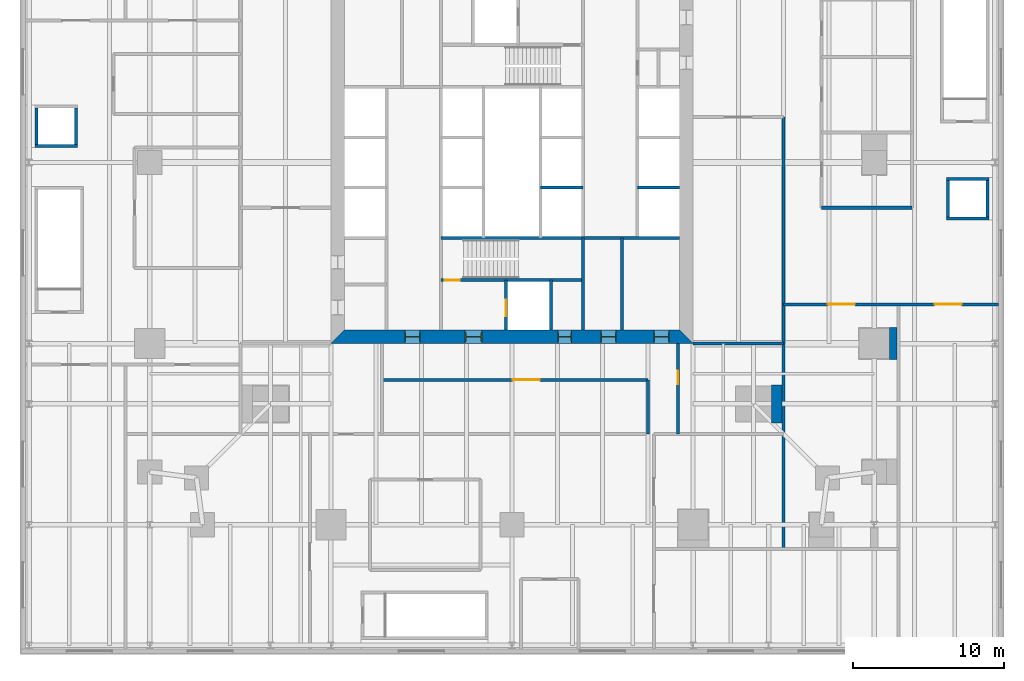
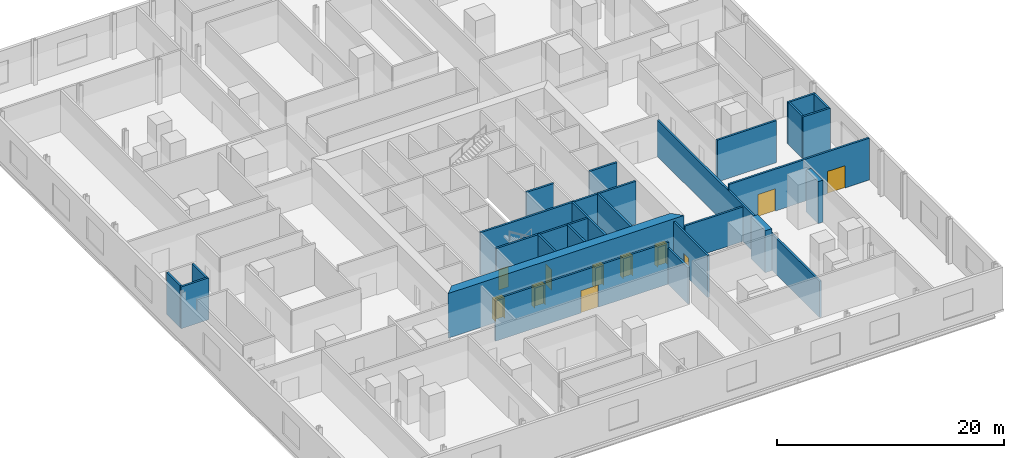
# One storey, part 10 of 15: 25 walls, 11 doors, 11 openings.
"""IFC4 building model written with IfcOpenShell, lengths in metres."""

from ifc_helpers import new_model, si_unit, direction, frame, frame_2d, origin, place, context, subcontext, project, spatial, polyline, rectangle, outline, extrude, material, layer, layer_set, type_object, element, fill, save


model = new_model("IFC4")

# Units and contexts
model_context = context("Model", 3, precision=1e-05, world=origin(), true_north=direction((0.0, 1.0)))
body_context = subcontext(model_context, "Body", "Model", "MODEL_VIEW")
ifc_project = project(units=[si_unit("LENGTHUNIT", "METRE"), si_unit("AREAUNIT", "SQUARE_METRE"), si_unit("VOLUMEUNIT", "CUBIC_METRE"), si_unit("PLANEANGLEUNIT", "RADIAN"), si_unit("MASSUNIT", "GRAM", prefix="KILO")], contexts=[model_context])

# Site, building, storey
site_placement = place(None, origin())
site = spatial("IfcSite", under=ifc_project, at=site_placement, CompositionType="ELEMENT")
building_placement = place(site_placement, origin())
building = spatial("IfcBuilding", under=site, at=building_placement, Name="Fenwick Lantern Interchange", CompositionType="ELEMENT")
storey_placement = place(building_placement, frame((0.0, 0.0, 26.199951171875)))
storey = spatial("IfcBuildingStorey", under=building, at=storey_placement, Name="L05", CompositionType="ELEMENT", Elevation=26.199951171875)

# Walls
ifc_material_1 = material(Name="Fire-rated gypsum board encasement on steel studs, 2 hour", Category="steel")
ifc_layer_1 = layer(ifc_material_1, 2.10009765625)
ifc_layer_set_1 = layer_set([ifc_layer_1], Name="COLUMN PIER 2100")
wall_type_1 = type_object("IfcWallType", Name="COLUMN PIER 2100", PredefinedType="PARTITIONING", material=ifc_layer_set_1)
wall_1_placement = place(storey_placement, frame((50.5, 13.0, 0.0), z_axis=(0.0, 0.0, 1.0), x_axis=(-1.0, 0.0, 0.0)))
element("IfcWall", 1, at=wall_1_placement, inside=storey, type_object=wall_type_1, Name="L05/W/PIER/CE2", PredefinedType="PARTITIONING", context=body_context, shape_type="SweptSolid", body=[
    extrude(rectangle(XDim=0.5, YDim=2.10009765625, at=frame_2d((0.25, 0.0))), origin(), (0.0, 0.0, 1.0), 4.5),
])
ifc_layer_2 = layer(ifc_material_1, 2.5)
ifc_layer_set_2 = layer_set([ifc_layer_2], Name="COLUMN PIER 2500")
wall_type_2 = type_object("IfcWallType", Name="COLUMN PIER 2500", PredefinedType="PARTITIONING", material=ifc_layer_set_2)
wall_2_placement = place(storey_placement, frame((42.89990234375, 9.0, 0.0), z_axis=(0.0, 0.0, 1.0), x_axis=(-1.0, 0.0, 0.0)))
element("IfcWall", 2, at=wall_2_placement, inside=storey, type_object=wall_type_2, Name="L05/W/PIER/M2", PredefinedType="PARTITIONING", context=body_context, shape_type="SweptSolid", body=[
    extrude(rectangle(XDim=0.699951171875, YDim=2.5, at=frame_2d((0.35009765625, 0.0))), origin(), (0.0, 0.0, 1.0), 4.5),
])

# Wall, opening, door
ifc_material_2 = material(Name="Concrete masonry ASTM C90 Grade N", Category="masonry")
ifc_layer_3 = layer(ifc_material_2, 0.199951171875)
ifc_layer_set_3 = layer_set([ifc_layer_3], Name="Concrete masonry ASTM C90 Grade N")
wall_type_3 = type_object("IfcWallType", Name="CORE PARTITION 200", PredefinedType="PARTITIONING", material=ifc_layer_set_3)
wall_3_placement = place(storey_placement, frame((24.60009765625, 13.89990234375, 0.0), z_axis=(0.0, 0.0, 1.0), x_axis=(0.0, 1.0, 0.0)))
wall_3 = element("IfcWall", 3, at=wall_3_placement, inside=storey, type_object=wall_type_3, Name="L05/W/CORES/h1", PredefinedType="PARTITIONING", context=body_context, shape_type="SweptSolid", body=[
    extrude(rectangle(XDim=3.300048828125, YDim=0.199951171875, at=frame_2d((1.64990234375, 0.0))), origin(), (0.0, 0.0, 1.0), 4.60009765625),
])
opening_1_placement = place(wall_3_placement, frame((0.89990234375, 0.0, 0.0)))
opening_1 = element("IfcOpeningElement", 4, at=opening_1_placement, cuts=wall_3, Name="Opening LD-FL1", PredefinedType="OPENING", context=body_context, shape_type="SweptSolid", body=[
    extrude(rectangle(XDim=1.10009765625, YDim=2.199951171875, at=frame_2d((0.550048828125, 1.10009765625))), frame((0.0, 0.10986328125, 0.0), z_axis=(0.0, -1.0, 0.0), x_axis=(1.0, 0.0, 0.0)), (0.0, 0.0, 1.0), 0.219970703125),
])
ifc_material_3 = material(Name="Steel door and frame", Category="steel")
door_type_1 = type_object("IfcDoorType", Name="LIFT LANDING DOOR 1100 X 2200", OperationType="DOUBLE_DOOR_SLIDING", PredefinedType="DOOR", material=ifc_material_3)
door_1_placement = place(opening_1_placement, origin())
door_1 = element("IfcDoor", 5, at=door_1_placement, inside=storey, type_object=door_type_1, Name="Lift landing door FL1", OperationType="DOUBLE_DOOR_SLIDING", OverallHeight=2.199951171875, OverallWidth=1.10009765625, PredefinedType="DOOR", context=body_context, shape_type="SweptSolid", body=[
    extrude(rectangle(XDim=1.10009765625, YDim=2.199951171875, at=frame_2d((0.550048828125, 1.10009765625))), frame((0.0, 0.02490234375, 0.0), z_axis=(0.0, -1.0, 0.0), x_axis=(1.0, 0.0, 0.0)), (0.0, 0.0, 1.0), 0.050048828125),
])
fill(opening_1, door_1)

# Walls
wall_4_placement = place(storey_placement, frame((27.60009765625, 13.89990234375, 0.0), z_axis=(0.0, 0.0, 1.0), x_axis=(0.0, 1.0, 0.0)))
element("IfcWall", 6, at=wall_4_placement, inside=storey, type_object=wall_type_3, Name="L05/W/CORES/h2", PredefinedType="PARTITIONING", context=body_context, shape_type="SweptSolid", body=[
    extrude(rectangle(XDim=3.300048828125, YDim=0.199951171875, at=frame_2d((1.64990234375, 0.0))), origin(), (0.0, 0.0, 1.0), 4.60009765625),
])
wall_5_placement = place(storey_placement, frame((32.300048828125, 13.89990234375, 0.0), z_axis=(0.0, 0.0, 1.0), x_axis=(0.0, 1.0, 0.0)))
element("IfcWall", 7, at=wall_5_placement, inside=storey, type_object=wall_type_3, Name="L05/W/CORES/i2", PredefinedType="PARTITIONING", context=body_context, shape_type="SweptSolid", body=[
    extrude(rectangle(XDim=6.10009765625, YDim=0.199951171875, at=frame_2d((3.050048828125, 0.0))), origin(), (0.0, 0.0, 1.0), 4.60009765625),
])
for number, where, z_axis, x_axis, name in (
    (8, (36.10009765625, 23.333251953125, 0.0), (0.0, 0.0, 1.0), (-1.0, 0.0, 0.0), "L05/W/COREN/d2"),
    (9, (29.699951171875, 23.333251953125, 0.0), (0.0, 0.0, 1.0), (-1.0, 0.0, 0.0), "L05/W/COREN/e2"),
):
    element("IfcWall", number, at=place(storey_placement, frame(where, z_axis=z_axis, x_axis=x_axis)), inside=storey, type_object=wall_type_3, Name=name, PredefinedType="PARTITIONING", context=body_context, shape_type="SweptSolid", body=[
        extrude(rectangle(XDim=2.800048828125, YDim=0.199951171875, at=frame_2d((1.39990234375, 0.0))), origin(), (0.0, 0.0, 1.0), 4.60009765625),
    ])

# Wall, openings, doors
ifc_material_4 = material(Name="Concrete f'c 70 MPa", Category="concrete")
ifc_layer_4 = layer(ifc_material_4, 0.89990234375)
ifc_layer_set_4 = layer_set([ifc_layer_4], Name="CORE WALL 900")
wall_type_4 = type_object("IfcWallType", Name="CORE WALL 900", PredefinedType="SHEAR", material=ifc_layer_set_4)
wall_6_placement = place(storey_placement, frame((13.0, 13.449951171875, 0.0), z_axis=(0.0, 0.0, 1.0), x_axis=(1.0, 0.0, 0.0)))
wall_6 = element("IfcWall", 10, at=wall_6_placement, inside=storey, type_object=wall_type_4, Name="L05/CORE/S", PredefinedType="SHEAR", context=body_context, shape_type="SweptSolid", body=[
    extrude(outline(polyline([(0.0, -0.449951171875), (24.0, -0.449951171875), (23.10009765625, 0.449951171875), (0.89990234375, 0.449951171875), (0.0, -0.449951171875)])), origin(), (0.0, 0.0, 1.0), 4.800048828125),
])
opening_2_placement = place(wall_6_placement, frame((4.89990234375, 0.0, 0.0)))
opening_2 = element("IfcOpeningElement", 11, at=opening_2_placement, cuts=wall_6, Name="Opening L05-D001", PredefinedType="OPENING", context=body_context, shape_type="SweptSolid", body=[
    extrude(rectangle(XDim=1.0, YDim=2.199951171875, at=frame_2d((0.5, 1.10009765625))), frame((0.0, 0.4599609375, 0.0), z_axis=(0.0, -1.0, 0.0), x_axis=(1.0, 0.0, 0.0)), (0.0, 0.0, 1.0), 0.919921875),
])
opening_3_placement = place(wall_6_placement, frame((8.89990234375, 0.0, 0.0)))
opening_3 = element("IfcOpeningElement", 12, at=opening_3_placement, cuts=wall_6, Name="Opening L05-D002", PredefinedType="OPENING", context=body_context, shape_type="SweptSolid", body=[
    extrude(rectangle(XDim=1.10009765625, YDim=2.199951171875, at=frame_2d((0.550048828125, 1.10009765625))), frame((0.0, 0.4599609375, 0.0), z_axis=(0.0, -1.0, 0.0), x_axis=(1.0, 0.0, 0.0)), (0.0, 0.0, 1.0), 0.919921875),
])
opening_4_placement = place(wall_6_placement, frame((15.050048828125, 0.0, 0.0)))
opening_4 = element("IfcOpeningElement", 13, at=opening_4_placement, cuts=wall_6, Name="Opening L05-D004", PredefinedType="OPENING", context=body_context, shape_type="SweptSolid", body=[
    extrude(rectangle(XDim=0.89990234375, YDim=2.199951171875, at=frame_2d((0.449951171875, 1.10009765625))), frame((0.0, 0.4599609375, 0.0), z_axis=(0.0, -1.0, 0.0), x_axis=(1.0, 0.0, 0.0)), (0.0, 0.0, 1.0), 0.919921875),
])
opening_5_placement = place(wall_6_placement, frame((17.89990234375, 0.0, 0.0)))
opening_5 = element("IfcOpeningElement", 14, at=opening_5_placement, cuts=wall_6, Name="Opening L05-D005", PredefinedType="OPENING", context=body_context, shape_type="SweptSolid", body=[
    extrude(rectangle(XDim=1.0, YDim=2.199951171875, at=frame_2d((0.5, 1.10009765625))), frame((0.0, 0.4599609375, 0.0), z_axis=(0.0, -1.0, 0.0), x_axis=(1.0, 0.0, 0.0)), (0.0, 0.0, 1.0), 0.919921875),
])
opening_6_placement = place(wall_6_placement, frame((21.39990234375, 0.0, 0.0)))
opening_6 = element("IfcOpeningElement", 15, at=opening_6_placement, cuts=wall_6, Name="Opening L05-D006", PredefinedType="OPENING", context=body_context, shape_type="SweptSolid", body=[
    extrude(rectangle(XDim=1.0, YDim=2.199951171875, at=frame_2d((0.5, 1.10009765625))), frame((0.0, 0.4599609375, 0.0), z_axis=(0.0, -1.0, 0.0), x_axis=(1.0, 0.0, 0.0)), (0.0, 0.0, 1.0), 0.919921875),
])
door_type_2 = type_object("IfcDoorType", Name="CORE LOBBY DOOR 1000 X 2200", OperationType="SINGLE_SWING_LEFT", PredefinedType="DOOR", material=ifc_material_3)
door_2_placement = place(opening_2_placement, origin())
door_2 = element("IfcDoor", 16, at=door_2_placement, inside=storey, type_object=door_type_2, Name="Core lobby door", OperationType="SINGLE_SWING_LEFT", OverallHeight=2.199951171875, OverallWidth=1.0, PredefinedType="DOOR", context=body_context, shape_type="SweptSolid", body=[
    extrude(rectangle(XDim=1.0, YDim=2.199951171875, at=frame_2d((0.5, 1.10009765625))), frame((0.0, 0.02490234375, 0.0), z_axis=(0.0, -1.0, 0.0), x_axis=(1.0, 0.0, 0.0)), (0.0, 0.0, 1.0), 0.050048828125),
    extrude(outline(polyline([(0.0, 0.0), (0.0400390625, 0.0), (0.0400390625, 2.159912109375), (0.9599609375, 2.159912109375), (0.9599609375, 0.0), (1.0, 0.0), (1.0, 2.199951171875), (0.0, 2.199951171875), (0.0, 0.0)])), frame((0.0, 0.300048828125, 0.0), z_axis=(0.0, -1.0, 0.0), x_axis=(1.0, 0.0, 0.0)), (0.0, 0.0, 1.0), 0.60009765625),
])
fill(opening_2, door_2)
door_type_3 = type_object("IfcDoorType", Name="FIRE LOBBY DOOR 1100 X 2200", OperationType="SINGLE_SWING_LEFT", PredefinedType="DOOR", material=ifc_material_3)
door_3_placement = place(opening_3_placement, origin())
door_3 = element("IfcDoor", 17, at=door_3_placement, inside=storey, type_object=door_type_3, Name="Fire lobby door", OperationType="SINGLE_SWING_LEFT", OverallHeight=2.199951171875, OverallWidth=1.10009765625, PredefinedType="DOOR", context=body_context, shape_type="SweptSolid", body=[
    extrude(rectangle(XDim=1.10009765625, YDim=2.199951171875, at=frame_2d((0.550048828125, 1.10009765625))), frame((0.0, 0.02490234375, 0.0), z_axis=(0.0, -1.0, 0.0), x_axis=(1.0, 0.0, 0.0)), (0.0, 0.0, 1.0), 0.050048828125),
    extrude(outline(polyline([(0.0, 0.0), (0.0400390625, 0.0), (0.0400390625, 2.159912109375), (1.06005859375, 2.159912109375), (1.06005859375, 0.0), (1.10009765625, 0.0), (1.10009765625, 2.199951171875), (0.0, 2.199951171875), (0.0, 0.0)])), frame((0.0, 0.300048828125, 0.0), z_axis=(0.0, -1.0, 0.0), x_axis=(1.0, 0.0, 0.0)), (0.0, 0.0, 1.0), 0.60009765625),
])
fill(opening_3, door_3)
door_type_4 = type_object("IfcDoorType", Name="SERVICE DOOR 900 X 2200", OperationType="SINGLE_SWING_LEFT", PredefinedType="DOOR", material=ifc_material_3)
door_4_placement = place(opening_4_placement, origin())
door_4 = element("IfcDoor", 18, at=door_4_placement, inside=storey, type_object=door_type_4, Name="Service door", OperationType="SINGLE_SWING_LEFT", OverallHeight=2.199951171875, OverallWidth=0.89990234375, PredefinedType="DOOR", context=body_context, shape_type="SweptSolid", body=[
    extrude(rectangle(XDim=0.89990234375, YDim=2.199951171875, at=frame_2d((0.449951171875, 1.10009765625))), frame((0.0, 0.02490234375, 0.0), z_axis=(0.0, -1.0, 0.0), x_axis=(1.0, 0.0, 0.0)), (0.0, 0.0, 1.0), 0.050048828125),
    extrude(outline(polyline([(0.0, 0.0), (0.0400390625, 0.0), (0.0400390625, 2.159912109375), (0.85986328125, 2.159912109375), (0.85986328125, 0.0), (0.89990234375, 0.0), (0.89990234375, 2.199951171875), (0.0, 2.199951171875), (0.0, 0.0)])), frame((0.0, 0.300048828125, 0.0), z_axis=(0.0, -1.0, 0.0), x_axis=(1.0, 0.0, 0.0)), (0.0, 0.0, 1.0), 0.60009765625),
])
fill(opening_4, door_4)
ifc_material_5 = material(Name="Hardwood door and steel frame", Category="steel")
door_type_5 = type_object("IfcDoorType", Name="WC DOOR 1000 X 2200", OperationType="SINGLE_SWING_LEFT", PredefinedType="DOOR", material=ifc_material_5)
door_5_placement = place(opening_5_placement, origin())
door_5 = element("IfcDoor", 19, at=door_5_placement, inside=storey, type_object=door_type_5, Name="Wc door", OperationType="SINGLE_SWING_RIGHT", OverallHeight=2.199951171875, OverallWidth=1.0, PredefinedType="DOOR", context=body_context, shape_type="SweptSolid", body=[
    extrude(rectangle(XDim=1.0, YDim=2.199951171875, at=frame_2d((0.5, 1.10009765625))), frame((0.0, 0.02490234375, 0.0), z_axis=(0.0, -1.0, 0.0), x_axis=(1.0, 0.0, 0.0)), (0.0, 0.0, 1.0), 0.050048828125),
    extrude(outline(polyline([(0.0, 0.0), (0.0400390625, 0.0), (0.0400390625, 2.159912109375), (0.9599609375, 2.159912109375), (0.9599609375, 0.0), (1.0, 0.0), (1.0, 2.199951171875), (0.0, 2.199951171875), (0.0, 0.0)])), frame((0.0, 0.300048828125, 0.0), z_axis=(0.0, -1.0, 0.0), x_axis=(1.0, 0.0, 0.0)), (0.0, 0.0, 1.0), 0.60009765625),
])
fill(opening_5, door_5)
door_6_placement = place(opening_6_placement, origin())
door_6 = element("IfcDoor", 20, at=door_6_placement, inside=storey, type_object=door_type_5, Name="Wc door", OperationType="SINGLE_SWING_RIGHT", OverallHeight=2.199951171875, OverallWidth=1.0, PredefinedType="DOOR", context=body_context, shape_type="SweptSolid", body=[
    extrude(rectangle(XDim=1.0, YDim=2.199951171875, at=frame_2d((0.5, 1.10009765625))), frame((0.0, 0.02490234375, 0.0), z_axis=(0.0, -1.0, 0.0), x_axis=(1.0, 0.0, 0.0)), (0.0, 0.0, 1.0), 0.050048828125),
    extrude(outline(polyline([(0.0, 0.0), (0.0400390625, 0.0), (0.0400390625, 2.159912109375), (0.9599609375, 2.159912109375), (0.9599609375, 0.0), (1.0, 0.0), (1.0, 2.199951171875), (0.0, 2.199951171875), (0.0, 0.0)])), frame((0.0, 0.300048828125, 0.0), z_axis=(0.0, -1.0, 0.0), x_axis=(1.0, 0.0, 0.0)), (0.0, 0.0, 1.0), 0.60009765625),
])
fill(opening_6, door_6)

# Walls
ifc_layer_5 = layer(ifc_material_2, 0.199951171875)
ifc_layer_set_5 = layer_set([ifc_layer_5], Name="Concrete masonry ASTM C90 Grade N")
wall_type_5 = type_object("IfcWallType", Name="LIFT SHAFT WALL 200", PredefinedType="PARTITIONING", material=ifc_layer_set_5)
wall_7_placement = place(storey_placement, frame((-6.60009765625, 26.10009765625, 0.0), z_axis=(0.0, 0.0, 1.0), x_axis=(1.0, 0.0, 0.0)))
element("IfcWall", 21, at=wall_7_placement, inside=storey, type_object=wall_type_5, Name="L05/W/PL1/S", PredefinedType="PARTITIONING", context=body_context, shape_type="SweptSolid", body=[
    extrude(rectangle(XDim=2.800048828125, YDim=0.199951171875, at=frame_2d((1.39990234375, 0.0))), origin(), (0.0, 0.0, 1.0), 4.5),
])
for number, where, z_axis, x_axis, name in (
    (22, (-3.89990234375, 26.199951171875, 0.0), (0.0, 0.0, 1.0), (0.0, 1.0, 0.0), "L05/W/PL1/E"),
    (23, (-6.5, 28.60009765625, 0.0), (0.0, 0.0, 1.0), (0.0, -1.0, 0.0), "L05/W/PL1/W"),
):
    element("IfcWall", number, at=place(storey_placement, frame(where, z_axis=z_axis, x_axis=x_axis)), inside=storey, type_object=wall_type_5, Name=name, PredefinedType="PARTITIONING", context=body_context, shape_type="SweptSolid", body=[
        extrude(rectangle(XDim=2.400146484375, YDim=0.199951171875, at=frame_2d((1.2001953125, 0.0))), origin(), (0.0, 0.0, 1.0), 4.5),
    ])
wall_8_placement = place(storey_placement, frame((53.800048828125, 21.300048828125, 0.0), z_axis=(0.0, 0.0, 1.0), x_axis=(1.0, 0.0, 0.0)))
element("IfcWall", 24, at=wall_8_placement, inside=storey, type_object=wall_type_5, Name="L05/W/PL2/S", PredefinedType="PARTITIONING", context=body_context, shape_type="SweptSolid", body=[
    extrude(rectangle(XDim=2.800048828125, YDim=0.199951171875, at=frame_2d((1.39990234375, 0.0))), origin(), (0.0, 0.0, 1.0), 4.5),
])
wall_9_placement = place(storey_placement, frame((56.5, 21.39990234375, 0.0), z_axis=(0.0, 0.0, 1.0), x_axis=(0.0, 1.0, 0.0)))
element("IfcWall", 25, at=wall_9_placement, inside=storey, type_object=wall_type_5, Name="L05/W/PL2/E", PredefinedType="PARTITIONING", context=body_context, shape_type="SweptSolid", body=[
    extrude(rectangle(XDim=2.400146484375, YDim=0.199951171875, at=frame_2d((1.2001953125, 0.0))), origin(), (0.0, 0.0, 1.0), 4.5),
])
wall_10_placement = place(storey_placement, frame((56.60009765625, 23.89990234375, 0.0), z_axis=(0.0, 0.0, 1.0), x_axis=(-1.0, 0.0, 0.0)))
element("IfcWall", 26, at=wall_10_placement, inside=storey, type_object=wall_type_5, Name="L05/W/PL2/N", PredefinedType="PARTITIONING", context=body_context, shape_type="SweptSolid", body=[
    extrude(rectangle(XDim=2.800048828125, YDim=0.199951171875, at=frame_2d((1.39990234375, 0.0))), origin(), (0.0, 0.0, 1.0), 4.5),
])
wall_11_placement = place(storey_placement, frame((53.89990234375, 23.800048828125, 0.0), z_axis=(0.0, 0.0, 1.0), x_axis=(0.0, -1.0, 0.0)))
element("IfcWall", 27, at=wall_11_placement, inside=storey, type_object=wall_type_5, Name="L05/W/PL2/W", PredefinedType="PARTITIONING", context=body_context, shape_type="SweptSolid", body=[
    extrude(rectangle(XDim=2.400146484375, YDim=0.199951171875, at=frame_2d((1.2001953125, 0.0))), origin(), (0.0, 0.0, 1.0), 4.5),
])
ifc_material_6 = material(Name="Gypsum board on steel studs, 1 hour", Category="steel")
ifc_layer_6 = layer(ifc_material_6, 0.199951171875)
ifc_layer_set_6 = layer_set([ifc_layer_6], Name="ROOM WALL 200")
wall_type_6 = type_object("IfcWallType", Name="ROOM WALL 200", PredefinedType="PARTITIONING", material=ifc_layer_set_6)
wall_12_placement = place(storey_placement, frame((34.0, 7.0, 0.0), z_axis=(0.0, 0.0, 1.0), x_axis=(0.0, 1.0, 0.0)))
element("IfcWall", 28, at=wall_12_placement, inside=storey, type_object=wall_type_6, Name="L05/W/POD/X34-1", PredefinedType="PARTITIONING", context=body_context, shape_type="SweptSolid", body=[
    extrude(rectangle(XDim=3.60009765625, YDim=0.199951171875, at=frame_2d((1.800048828125, 0.0))), origin(), (0.0, 0.0, 1.0), 3.89306640625),
])

# Wall, opening, door
wall_13_placement = place(storey_placement, frame((36.0, 7.0, 0.0), z_axis=(0.0, 0.0, 1.0), x_axis=(0.0, 1.0, 0.0)))
wall_13 = element("IfcWall", 29, at=wall_13_placement, inside=storey, type_object=wall_type_6, Name="L05/W/POD/X36-1", PredefinedType="PARTITIONING", context=body_context, shape_type="SweptSolid", body=[
    extrude(rectangle(XDim=6.0, YDim=0.199951171875, at=frame_2d((3.0, 0.0))), origin(), (0.0, 0.0, 1.0), 4.5),
])
opening_7_placement = place(wall_13_placement, frame((3.300048828125, 0.0, 0.0)))
opening_7 = element("IfcOpeningElement", 30, at=opening_7_placement, cuts=wall_13, Name="Opening L05-D040", PredefinedType="OPENING", context=body_context, shape_type="SweptSolid", body=[
    extrude(rectangle(XDim=0.89990234375, YDim=2.199951171875, at=frame_2d((0.449951171875, 1.10009765625))), frame((0.0, 0.10986328125, 0.0), z_axis=(0.0, -1.0, 0.0), x_axis=(1.0, 0.0, 0.0)), (0.0, 0.0, 1.0), 0.219970703125),
])
door_type_6 = type_object("IfcDoorType", Name="OFFICE DOOR 900 X 2200", OperationType="SINGLE_SWING_LEFT", PredefinedType="DOOR", material=ifc_material_5)
door_7_placement = place(opening_7_placement, frame((0.89990234375, 0.0, 0.0), z_axis=(0.0, 0.0, 1.0), x_axis=(-1.0, 0.0, 0.0)))
door_7 = element("IfcDoor", 31, at=door_7_placement, inside=storey, type_object=door_type_6, Name="Office door", OperationType="SINGLE_SWING_LEFT", OverallHeight=2.199951171875, OverallWidth=0.89990234375, PredefinedType="DOOR", context=body_context, shape_type="SweptSolid", body=[
    extrude(rectangle(XDim=0.89990234375, YDim=2.199951171875, at=frame_2d((0.449951171875, 1.10009765625))), frame((0.0, 0.02490234375, 0.0), z_axis=(0.0, -1.0, 0.0), x_axis=(1.0, 0.0, 0.0)), (0.0, 0.0, 1.0), 0.050048828125),
])
fill(opening_7, door_7)

# Wall
wall_14_placement = place(storey_placement, frame((43.0, -0.60009765625, 0.0), z_axis=(0.0, 0.0, 1.0), x_axis=(0.0, 1.0, 0.0)))
element("IfcWall", 32, at=wall_14_placement, inside=storey, type_object=wall_type_6, Name="L05/W/POD/X43-1", PredefinedType="PARTITIONING", context=body_context, shape_type="SweptSolid", body=[
    extrude(rectangle(XDim=28.60009765625, YDim=0.199951171875, at=frame_2d((14.300048828125, 0.0))), origin(), (0.0, 0.0, 1.0), 3.89306640625),
])

# Wall, opening, door
wall_15_placement = place(storey_placement, frame((16.39990234375, 10.60009765625, 0.0), z_axis=(0.0, 0.0, 1.0), x_axis=(1.0, 0.0, 0.0)))
wall_15 = element("IfcWall", 33, at=wall_15_placement, inside=storey, type_object=wall_type_6, Name="L05/W/POD/Y10.6-1", PredefinedType="PARTITIONING", context=body_context, shape_type="SweptSolid", body=[
    extrude(rectangle(XDim=17.60009765625, YDim=0.199951171875, at=frame_2d((8.800048828125, 0.0))), origin(), (0.0, 0.0, 1.0), 4.5),
])
opening_8_placement = place(wall_15_placement, frame((8.64990234375, 0.0, 0.0)))
opening_8 = element("IfcOpeningElement", 34, at=opening_8_placement, cuts=wall_15, Name="Opening L05-D049", PredefinedType="OPENING", context=body_context, shape_type="SweptSolid", body=[
    extrude(rectangle(XDim=1.800048828125, YDim=2.39990234375, at=frame_2d((0.89990234375, 1.199951171875))), frame((0.0, 0.10986328125, 0.0), z_axis=(0.0, -1.0, 0.0), x_axis=(1.0, 0.0, 0.0)), (0.0, 0.0, 1.0), 0.219970703125),
])
door_type_7 = type_object("IfcDoorType", Name="ROOM DOOR PAIR 1800 X 2400", OperationType="DOUBLE_DOOR_SINGLE_SWING", PredefinedType="DOOR", material=ifc_material_3)
door_8_placement = place(opening_8_placement, origin())
door_8 = element("IfcDoor", 35, at=door_8_placement, inside=storey, type_object=door_type_7, Name="Room door pair", OperationType="DOUBLE_DOOR_SINGLE_SWING", OverallHeight=2.39990234375, OverallWidth=1.800048828125, PredefinedType="DOOR", context=body_context, shape_type="SweptSolid", body=[
    extrude(rectangle(XDim=1.800048828125, YDim=2.39990234375, at=frame_2d((0.89990234375, 1.199951171875))), frame((0.0, 0.02490234375, 0.0), z_axis=(0.0, -1.0, 0.0), x_axis=(1.0, 0.0, 0.0)), (0.0, 0.0, 1.0), 0.050048828125),
])
fill(opening_8, door_8)

# Wall
wall_16_placement = place(storey_placement, frame((37.0, 13.0, 0.0), z_axis=(0.0, 0.0, 1.0), x_axis=(1.0, 0.0, 0.0)))
element("IfcWall", 36, at=wall_16_placement, inside=storey, type_object=wall_type_6, Name="L05/W/POD/Y13-2", PredefinedType="PARTITIONING", context=body_context, shape_type="SweptSolid", body=[
    extrude(rectangle(XDim=6.0, YDim=0.199951171875, at=frame_2d((3.0, 0.0))), origin(), (0.0, 0.0, 1.0), 3.70263671875),
])

# Wall, openings, doors
wall_17_placement = place(storey_placement, frame((43.0, 15.60009765625, 0.0), z_axis=(0.0, 0.0, 1.0), x_axis=(1.0, 0.0, 0.0)))
wall_17 = element("IfcWall", 37, at=wall_17_placement, inside=storey, type_object=wall_type_6, Name="L05/W/POD/Y15.6-1", PredefinedType="PARTITIONING", context=body_context, shape_type="SweptSolid", body=[
    extrude(rectangle(XDim=14.25, YDim=0.199951171875, at=frame_2d((7.125, 0.0))), origin(), (0.0, 0.0, 1.0), 4.5),
])
opening_9_placement = place(wall_17_placement, frame((10.0, 0.0, 0.0)))
opening_9 = element("IfcOpeningElement", 38, at=opening_9_placement, cuts=wall_17, Name="Opening L05-D027", PredefinedType="OPENING", context=body_context, shape_type="SweptSolid", body=[
    extrude(rectangle(XDim=1.800048828125, YDim=2.39990234375, at=frame_2d((0.89990234375, 1.199951171875))), frame((0.0, 0.10986328125, 0.0), z_axis=(0.0, -1.0, 0.0), x_axis=(1.0, 0.0, 0.0)), (0.0, 0.0, 1.0), 0.219970703125),
])
opening_10_placement = place(wall_17_placement, frame((2.925048828125, 0.0, 0.0)))
opening_10 = element("IfcOpeningElement", 39, at=opening_10_placement, cuts=wall_17, Name="Opening L05-D028", PredefinedType="OPENING", context=body_context, shape_type="SweptSolid", body=[
    extrude(rectangle(XDim=1.800048828125, YDim=2.39990234375, at=frame_2d((0.89990234375, 1.199951171875))), frame((0.0, 0.10986328125, 0.0), z_axis=(0.0, -1.0, 0.0), x_axis=(1.0, 0.0, 0.0)), (0.0, 0.0, 1.0), 0.219970703125),
])
door_9_placement = place(opening_9_placement, origin())
door_9 = element("IfcDoor", 40, at=door_9_placement, inside=storey, type_object=door_type_7, Name="Room door pair", OperationType="DOUBLE_DOOR_SINGLE_SWING", OverallHeight=2.39990234375, OverallWidth=1.800048828125, PredefinedType="DOOR", context=body_context, shape_type="SweptSolid", body=[
    extrude(rectangle(XDim=1.800048828125, YDim=2.39990234375, at=frame_2d((0.89990234375, 1.199951171875))), frame((0.0, 0.02490234375, 0.0), z_axis=(0.0, -1.0, 0.0), x_axis=(1.0, 0.0, 0.0)), (0.0, 0.0, 1.0), 0.050048828125),
])
fill(opening_9, door_9)
door_10_placement = place(opening_10_placement, origin())
door_10 = element("IfcDoor", 41, at=door_10_placement, inside=storey, type_object=door_type_7, Name="Room door pair", OperationType="DOUBLE_DOOR_SINGLE_SWING", OverallHeight=2.39990234375, OverallWidth=1.800048828125, PredefinedType="DOOR", context=body_context, shape_type="SweptSolid", body=[
    extrude(rectangle(XDim=1.800048828125, YDim=2.39990234375, at=frame_2d((0.89990234375, 1.199951171875))), frame((0.0, 0.02490234375, 0.0), z_axis=(0.0, -1.0, 0.0), x_axis=(1.0, 0.0, 0.0)), (0.0, 0.0, 1.0), 0.050048828125),
])
fill(opening_10, door_10)

# Wall
wall_18_placement = place(storey_placement, frame((45.5, 22.0, 0.0), z_axis=(0.0, 0.0, 1.0), x_axis=(1.0, 0.0, 0.0)))
element("IfcWall", 42, at=wall_18_placement, inside=storey, type_object=wall_type_6, Name="L05/W/POD/Y22-2", PredefinedType="PARTITIONING", context=body_context, shape_type="SweptSolid", body=[
    extrude(rectangle(XDim=6.0, YDim=0.199951171875, at=frame_2d((3.0, 0.0))), origin(), (0.0, 0.0, 1.0), 4.5),
])

# Wall, opening, door
ifc_material_7 = material(Name="Concrete f'c 45 MPa", Category="concrete")
ifc_layer_7 = layer(ifc_material_7, 0.199951171875)
ifc_layer_set_7 = layer_set([ifc_layer_7], Name="STAIR CORE WALL 200")
wall_type_7 = type_object("IfcWallType", Name="STAIR CORE WALL 200", PredefinedType="SOLIDWALL", material=ifc_layer_set_7)
wall_19_placement = place(storey_placement, frame((20.300048828125, 17.199951171875, 0.0), z_axis=(0.0, 0.0, 1.0), x_axis=(1.0, 0.0, 0.0)))
wall_19 = element("IfcWall", 43, at=wall_19_placement, inside=storey, type_object=wall_type_7, Name="L05/W/CORES/g1", PredefinedType="SOLIDWALL", context=body_context, shape_type="SweptSolid", body=[
    extrude(rectangle(XDim=9.39990234375, YDim=0.199951171875, at=frame_2d((4.699951171875, 0.0))), origin(), (0.0, 0.0, 1.0), 4.60009765625),
])
opening_11_placement = place(wall_19_placement, frame((0.25, 0.0, 0.0)))
opening_11 = element("IfcOpeningElement", 44, at=opening_11_placement, cuts=wall_19, Name="Opening L05-D003", PredefinedType="OPENING", context=body_context, shape_type="SweptSolid", body=[
    extrude(rectangle(XDim=1.0, YDim=2.199951171875, at=frame_2d((0.5, 1.10009765625))), frame((0.0, 0.10986328125, 0.0), z_axis=(0.0, -1.0, 0.0), x_axis=(1.0, 0.0, 0.0)), (0.0, 0.0, 1.0), 0.219970703125),
])
door_type_8 = type_object("IfcDoorType", Name="STAIR DOOR 1000 X 2200", OperationType="SINGLE_SWING_LEFT", PredefinedType="DOOR", material=ifc_material_3)
door_11_placement = place(opening_11_placement, origin())
door_11 = element("IfcDoor", 45, at=door_11_placement, inside=storey, type_object=door_type_8, Name="Stair door", OperationType="SINGLE_SWING_LEFT", OverallHeight=2.199951171875, OverallWidth=1.0, PredefinedType="DOOR", context=body_context, shape_type="SweptSolid", body=[
    extrude(rectangle(XDim=1.0, YDim=2.199951171875, at=frame_2d((0.5, 1.10009765625))), frame((0.0, 0.02490234375, 0.0), z_axis=(0.0, -1.0, 0.0), x_axis=(1.0, 0.0, 0.0)), (0.0, 0.0, 1.0), 0.050048828125),
])
fill(opening_11, door_11)

# Walls
wall_20_placement = place(storey_placement, frame((20.300048828125, 20.0, 0.0), z_axis=(0.0, 0.0, 1.0), x_axis=(1.0, 0.0, 0.0)))
element("IfcWall", 46, at=wall_20_placement, inside=storey, type_object=wall_type_7, Name="L05/W/CORES/g2", PredefinedType="SOLIDWALL", context=body_context, shape_type="SweptSolid", body=[
    extrude(rectangle(XDim=15.800048828125, YDim=0.199951171875, at=frame_2d((7.89990234375, 0.0))), origin(), (0.0, 0.0, 1.0), 4.60009765625),
])
wall_21_placement = place(storey_placement, frame((29.699951171875, 13.89990234375, 0.0), z_axis=(0.0, 0.0, 1.0), x_axis=(0.0, 1.0, 0.0)))
element("IfcWall", 47, at=wall_21_placement, inside=storey, type_object=wall_type_7, Name="L05/W/CORES/i1", PredefinedType="SOLIDWALL", context=body_context, shape_type="SweptSolid", body=[
    extrude(rectangle(XDim=6.10009765625, YDim=0.199951171875, at=frame_2d((3.050048828125, 0.0))), origin(), (0.0, 0.0, 1.0), 4.60009765625),
])

save(model, "model.ifc")
